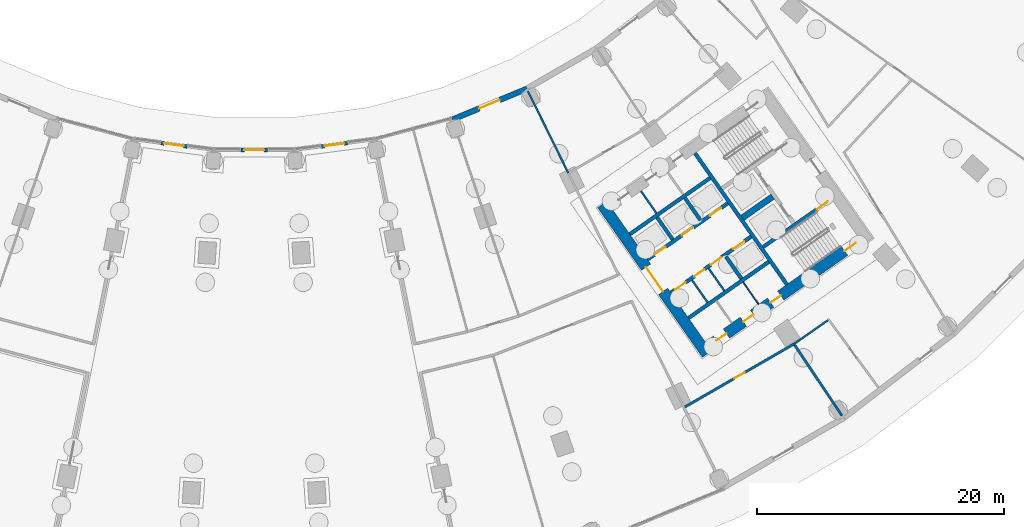
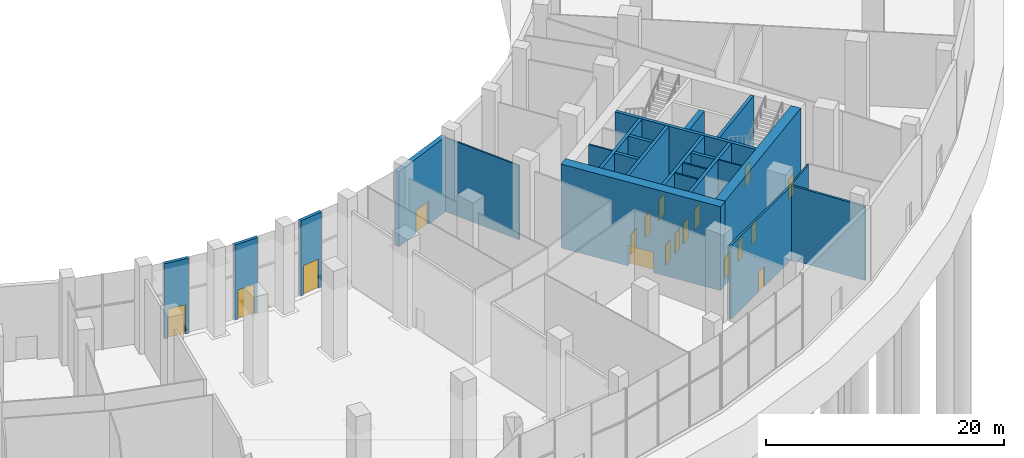
# One storey, part 9 of 23: 24 walls, 18 doors, 18 openings.
"""IFC4 building model written with IfcOpenShell, lengths in metres."""

import ifcopenshell
import ifcopenshell.guid

model = None  # the IFC model being written
_history = None  # IfcOwnerHistory: only IFC2X3 demands one
_inside = {}  # id of a spatial element -> (the spatial element, [elements in it])
_under = {}  # id of a project, library or spatial element -> (it, [spatial elements below it])
_declared = {}  # id of a project -> (the project, [libraries it declares])
_typed = {}  # id of a type object -> (the type object, [elements of that type])
_made_of = {}  # id of a material, layer set ... -> (it, [elements and type objects made of it])


def new_model(schema):
    """Start an empty IFC model of exactly this schema.

    Asked for "IFC4X3", IfcOpenShell would pick the latest addendum, in which some entities
    have other attributes; the version numbers below select the first issue.
    IFC2X3 requires an IfcOwnerHistory on every rooted entity: one is made here for all.
    """
    global model, _history
    if schema == "IFC4X3":
        model = ifcopenshell.file(schema_version=(4, 3, 0, 0))
    else:
        model = ifcopenshell.file(schema=schema)
    _inside.clear()
    _under.clear()
    _declared.clear()
    _typed.clear()
    _made_of.clear()
    _history = None
    if model.schema == "IFC2X3":
        org = make("IfcOrganization", Name="unknown")
        user = make(
            "IfcPersonAndOrganization",
            ThePerson=make("IfcPerson", FamilyName="unknown"),
            TheOrganization=org,
        )
        app = make(
            "IfcApplication",
            ApplicationDeveloper=org,
            Version="unknown",
            ApplicationFullName="unknown",
            ApplicationIdentifier="unknown",
        )
        _history = make(
            "IfcOwnerHistory",
            OwningUser=user,
            OwningApplication=app,
            ChangeAction="ADDED",
            CreationDate=0,
        )
    return model


def make(cls, **values):
    """One entity of the class cls with the attributes given. An attribute that is None is left unset."""
    return model.create_entity(
        cls, **{name: value for name, value in values.items() if value is not None}
    )


def rooted(cls, **values):
    """An entity with a GlobalId (a new one), such as an element, a storey or a relation."""
    return make(cls, GlobalId=ifcopenshell.guid.new(), OwnerHistory=_history, **values)


def si_unit(unit_type, name, prefix=None):
    """IfcSIUnit, for example si_unit("LENGTHUNIT", "METRE", prefix="MILLI")."""
    return make("IfcSIUnit", UnitType=unit_type, Prefix=prefix, Name=name)


def assignment(units):
    """IfcUnitAssignment: the units of a project."""
    return None if units is None else make("IfcUnitAssignment", Units=units)


def point(xyz):
    """IfcCartesianPoint."""
    return None if xyz is None else make("IfcCartesianPoint", Coordinates=xyz)


def direction(xyz):
    """IfcDirection."""
    return None if xyz is None else make("IfcDirection", DirectionRatios=xyz)


def frame(location, z_axis=None, x_axis=None):
    """IfcAxis2Placement3D, a coordinate frame: its origin and axes. An axis left out is left unset."""
    return make(
        "IfcAxis2Placement3D",
        Location=point(location),
        Axis=direction(z_axis),
        RefDirection=direction(x_axis),
    )


def frame_2d(location, x_axis=None):
    """IfcAxis2Placement2D, a coordinate frame in the plane: its origin and x axis."""
    return make(
        "IfcAxis2Placement2D", Location=point(location), RefDirection=direction(x_axis)
    )


def origin():
    """The frame at (0, 0, 0) with its axes left unset."""
    return frame((0.0, 0.0, 0.0))


def place(relative_to, where):
    """IfcLocalPlacement: puts the frame where relative to a parent placement (None: the world)."""
    return make(
        "IfcLocalPlacement", PlacementRelTo=relative_to, RelativePlacement=where
    )


def context(
    kind, dimensions, precision=None, world=None, true_north=None, identifier=None
):
    """IfcGeometricRepresentationContext, for example the 3D "Model" context."""
    return make(
        "IfcGeometricRepresentationContext",
        ContextIdentifier=identifier,
        ContextType=kind,
        CoordinateSpaceDimension=dimensions,
        Precision=precision,
        WorldCoordinateSystem=world,
        TrueNorth=true_north,
    )


def subcontext(parent, identifier, kind, view, scale=None):
    """IfcGeometricRepresentationSubContext, for example "Body" below "Model"."""
    return make(
        "IfcGeometricRepresentationSubContext",
        ContextIdentifier=identifier,
        ContextType=kind,
        ParentContext=parent,
        TargetScale=scale,
        TargetView=view,
    )


def project(units=None, contexts=None):
    """IfcProject with its units and contexts."""
    return rooted(
        "IfcProject",
        Name="project",
        RepresentationContexts=contexts,
        UnitsInContext=assignment(units),
    )


def spatial(cls, under=None, at=None, **own):
    """A site, building, storey or space (cls), placed at a placement, below another one or the project."""
    s = rooted(cls, ObjectPlacement=at, **own)
    if under is not None:
        _under.setdefault(under.id(), (under, []))[1].append(s)
    return s


def profile(cls, at=None, kind="AREA", **sizes):
    """A parametric profile (cls). Its sizes go by their IFC names, for example OverallWidth=200.0."""
    return make(cls, ProfileType=kind, Position=at, **sizes)


def rectangle(**sizes):
    """IfcRectangleProfileDef."""
    return profile("IfcRectangleProfileDef", **sizes)


def extrude(swept, where, along, depth):
    """IfcExtrudedAreaSolid: the profile swept, set in the frame where, extruded along a direction by depth."""
    return make(
        "IfcExtrudedAreaSolid",
        SweptArea=swept,
        Position=where,
        ExtrudedDirection=direction(along),
        Depth=depth,
    )


def shape(context_of_items, identifier, shape_type, items):
    """IfcShapeRepresentation: the items that make up one representation, for example the "Body"."""
    return make(
        "IfcShapeRepresentation",
        ContextOfItems=context_of_items,
        RepresentationIdentifier=identifier,
        RepresentationType=shape_type,
        Items=items,
    )


def material(Name=None, Category=None):
    """IfcMaterial."""
    return make("IfcMaterial", Name=Name, Category=Category)


def layer(
    of_material, thickness, ventilated=None, Name=None, Category=None, Priority=None
):
    """IfcMaterialLayer: one layer of a wall or slab, of a material (None: an air gap)."""
    return make(
        "IfcMaterialLayer",
        Material=of_material,
        LayerThickness=thickness,
        IsVentilated=ventilated,
        Name=Name,
        Category=Category,
        Priority=Priority,
    )


def layer_set(layers, Name=None):
    """IfcMaterialLayerSet."""
    return make("IfcMaterialLayerSet", MaterialLayers=layers, LayerSetName=Name)


def made_of(thing, what):
    """Note that an element or type object is made of a material, layer set ...; save() writes the relation."""
    if what is not None:
        _made_of.setdefault(what.id(), (what, []))[1].append(thing)
    return thing


def type_object(cls, material=None, **own):
    """A type object (cls), such as IfcWallType, which elements share."""
    return made_of(rooted(cls, **own), material)


def element(
    cls,
    number,
    at=None,
    inside=None,
    cuts=None,
    type_object=None,
    material=None,
    context=None,
    identifier="Body",
    shape_type=None,
    held_by="IfcProductDefinitionShape",
    body=None,
    shapes=None,
    **own,
):
    """One element of the class cls, such as IfcWall. Its Tag is "e" and its number.

    at: its placement. inside: the storey or other place that contains it. cuts: it is an
    opening in that element (IfcRelVoidsElement). A single representation is given by context,
    identifier, shape_type and body (its items); several are given by shapes. held_by: the class
    of the entity that holds the representations. save() writes the other relations.
    """
    e = rooted(cls, Tag="e%d" % number, ObjectPlacement=at, **own)
    if body is not None:
        shapes = [shape(context, identifier, shape_type, body)]
    if shapes is not None:
        e.Representation = make(held_by, Representations=shapes)
    if inside is not None:
        _inside.setdefault(inside.id(), (inside, []))[1].append(e)
    if cuts is not None:
        rooted(
            "IfcRelVoidsElement", RelatingBuildingElement=cuts, RelatedOpeningElement=e
        )
    if type_object is not None:
        _typed.setdefault(type_object.id(), (type_object, []))[1].append(e)
    return made_of(e, material)


def fill(opening, filler):
    """IfcRelFillsElement: the door or window that sits in an opening."""
    return rooted(
        "IfcRelFillsElement",
        RelatingOpeningElement=opening,
        RelatedBuildingElement=filler,
    )


def aggregate(whole, parts):
    """IfcRelAggregates: a whole, such as a stair, and the parts it consists of."""
    return rooted("IfcRelAggregates", RelatingObject=whole, RelatedObjects=parts)


def save(model, path):
    """Write the relations noted so far, then the file.

    IfcRelAggregates (storeys below a building ...), IfcRelContainedInSpatialStructure (elements
    in a storey), IfcRelDefinesByType, IfcRelAssociatesMaterial and IfcRelDeclares: one each for
    every whole, place, type object, material and project.
    """
    for whole, parts in _under.values():
        aggregate(whole, parts)
    for where, things in _inside.values():
        rooted(
            "IfcRelContainedInSpatialStructure",
            RelatedElements=things,
            RelatingStructure=where,
        )
    for kind, things in _typed.values():
        rooted("IfcRelDefinesByType", RelatedObjects=things, RelatingType=kind)
    for what, things in _made_of.values():
        rooted("IfcRelAssociatesMaterial", RelatedObjects=things, RelatingMaterial=what)
    for by, libraries in _declared.values():
        rooted("IfcRelDeclares", RelatingContext=by, RelatedDefinitions=libraries)
    model.write(path)


model = new_model("IFC4")

# Units and contexts
model_context = context("Model", 3, precision=1e-05, world=origin(), true_north=direction((0.0, 1.0)))
body_context = subcontext(model_context, "Body", "Model", "MODEL_VIEW")
ifc_project = project(units=[si_unit("LENGTHUNIT", "METRE"), si_unit("AREAUNIT", "SQUARE_METRE"), si_unit("VOLUMEUNIT", "CUBIC_METRE"), si_unit("PLANEANGLEUNIT", "RADIAN"), si_unit("MASSUNIT", "GRAM", prefix="KILO")], contexts=[model_context])

# Site, building, storey
site_placement = place(None, origin())
site = spatial("IfcSite", under=ifc_project, at=site_placement, CompositionType="ELEMENT")
building_placement = place(site_placement, origin())
building = spatial("IfcBuilding", under=site, at=building_placement, Name="Qamariyya Broadcast Tower", CompositionType="ELEMENT")
storey_placement = place(building_placement, origin())
storey = spatial("IfcBuildingStorey", under=building, at=storey_placement, Name="L00", CompositionType="ELEMENT", Elevation=0.0)

# Wall, opening, door
ifc_material_1 = material(Name="Concrete C70/85", Category="concrete")
ifc_layer_1 = layer(ifc_material_1, 0.89990234375)
ifc_layer_set_1 = layer_set([ifc_layer_1], Name="Core wall 900 mm Concrete C70/85")
wall_type_1 = type_object("IfcWallType", Name="Core wall 900 mm Concrete C70/85", PredefinedType="SHEAR", material=ifc_layer_set_1)
wall_1_placement = place(storey_placement, frame((36.716796875, -66.3369140625, 0.0), z_axis=(0.0, 0.0, 1.0), x_axis=(-0.573577477574, 0.819151315216, 0.0)))
wall_1 = element("IfcWall", 1, at=wall_1_placement, inside=storey, type_object=wall_type_1, Name="k-E-L00-WA", PredefinedType="SHEAR", context=body_context, shape_type="SweptSolid", body=[
    extrude(rectangle(XDim=14.800048828125, YDim=0.89990234375, at=frame_2d((7.39990234375, 0.0))), origin(), (0.0, 0.0, 1.0), 8.60009765625),
])
opening_1_placement = place(wall_1_placement, frame((6.199951171875, 0.0, 0.0)))
opening_1 = element("IfcOpeningElement", 2, at=opening_1_placement, cuts=wall_1, Name="Opening KD3-E1", PredefinedType="OPENING", context=body_context, shape_type="SweptSolid", body=[
    extrude(rectangle(XDim=2.39990234375, YDim=2.10009765625, at=frame_2d((1.199951171875, 1.050048828125))), frame((0.0, 0.4599609375, 0.0), z_axis=(0.0, -1.0, 0.0), x_axis=(1.0, 0.0, 0.0)), (0.0, 0.0, 1.0), 0.919921875),
])
ifc_material_2 = material(Name="Steel fire-resisting door leaf", Category="steel")
door_type_1 = type_object("IfcDoorType", Name="Lift lobby door KD3", OperationType="DOUBLE_DOOR_SINGLE_SWING", PredefinedType="DOOR", material=ifc_material_2)
door_1_placement = place(opening_1_placement, origin())
door_1 = element("IfcDoor", 3, at=door_1_placement, inside=storey, type_object=door_type_1, Name="k-E-L00-WA-D1", OperationType="DOUBLE_DOOR_SINGLE_SWING", OverallHeight=2.10009765625, OverallWidth=2.39990234375, PredefinedType="DOOR", context=body_context, shape_type="SweptSolid", body=[
    extrude(rectangle(XDim=2.39990234375, YDim=2.10009765625, at=frame_2d((1.199951171875, 1.050048828125))), frame((0.0, 0.02490234375, 0.0), z_axis=(0.0, -1.0, 0.0), x_axis=(1.0, 0.0, 0.0)), (0.0, 0.0, 1.0), 0.050048828125),
])
fill(opening_1, door_1)

# Wall, openings, doors
wall_2_placement = place(storey_placement, frame((36.827392578125, -65.710205078125, 0.0), z_axis=(0.0, 0.0, 1.0), x_axis=(0.819153391756, 0.573574511963, 0.0)))
wall_2 = element("IfcWall", 4, at=wall_2_placement, inside=storey, type_object=wall_type_1, Name="k-E-L00-WO", PredefinedType="SHEAR", context=body_context, shape_type="SweptSolid", body=[
    extrude(rectangle(XDim=15.04541015625, YDim=0.89990234375, at=frame_2d((7.522705078125, 0.0))), origin(), (0.0, 0.0, 1.0), 8.60009765625),
])
opening_2_placement = place(wall_2_placement, frame((0.800048828125, 0.0, 0.0)))
opening_2 = element("IfcOpeningElement", 5, at=opening_2_placement, cuts=wall_2, Name="Opening KD4-E2", PredefinedType="OPENING", context=body_context, shape_type="SweptSolid", body=[
    extrude(rectangle(XDim=1.0, YDim=2.10009765625, at=frame_2d((0.5, 1.050048828125))), frame((0.0, 0.4599609375, 0.0), z_axis=(0.0, -1.0, 0.0), x_axis=(1.0, 0.0, 0.0)), (0.0, 0.0, 1.0), 0.919921875),
])
opening_3_placement = place(wall_2_placement, frame((3.47509765625, 0.0, 0.0)))
opening_3 = element("IfcOpeningElement", 6, at=opening_3_placement, cuts=wall_2, Name="Opening KD4-E3", PredefinedType="OPENING", context=body_context, shape_type="SweptSolid", body=[
    extrude(rectangle(XDim=1.0, YDim=2.10009765625, at=frame_2d((0.5, 1.050048828125))), frame((0.0, 0.4599609375, 0.0), z_axis=(0.0, -1.0, 0.0), x_axis=(1.0, 0.0, 0.0)), (0.0, 0.0, 1.0), 0.919921875),
])
opening_4_placement = place(wall_2_placement, frame((6.175048828125, 0.0, 0.0)))
opening_4 = element("IfcOpeningElement", 7, at=opening_4_placement, cuts=wall_2, Name="Opening KD4-E4", PredefinedType="OPENING", context=body_context, shape_type="SweptSolid", body=[
    extrude(rectangle(XDim=1.0, YDim=2.10009765625, at=frame_2d((0.5, 1.050048828125))), frame((0.0, 0.4599609375, 0.0), z_axis=(0.0, -1.0, 0.0), x_axis=(1.0, 0.0, 0.0)), (0.0, 0.0, 1.0), 0.919921875),
])
opening_5_placement = place(wall_2_placement, frame((13.495361328125, 0.0, 0.0)))
opening_5 = element("IfcOpeningElement", 8, at=opening_5_placement, cuts=wall_2, Name="Opening KD1-E3", PredefinedType="OPENING", context=body_context, shape_type="SweptSolid", body=[
    extrude(rectangle(XDim=1.10009765625, YDim=2.10009765625, at=frame_2d((0.550048828125, 1.050048828125))), frame((0.0, 0.4599609375, 0.0), z_axis=(0.0, -1.0, 0.0), x_axis=(1.0, 0.0, 0.0)), (0.0, 0.0, 1.0), 0.919921875),
])
door_type_2 = type_object("IfcDoorType", Name="Riser and plant door KD4", OperationType="SINGLE_SWING_LEFT", PredefinedType="DOOR", material=ifc_material_2)
door_2_placement = place(opening_2_placement, origin())
door_2 = element("IfcDoor", 9, at=door_2_placement, inside=storey, type_object=door_type_2, Name="k-E-L00-WO-D12", OperationType="SINGLE_SWING_RIGHT", OverallHeight=2.10009765625, OverallWidth=1.0, PredefinedType="DOOR", context=body_context, shape_type="SweptSolid", body=[
    extrude(rectangle(XDim=1.0, YDim=2.10009765625, at=frame_2d((0.5, 1.050048828125))), frame((0.0, 0.02490234375, 0.0), z_axis=(0.0, -1.0, 0.0), x_axis=(1.0, 0.0, 0.0)), (0.0, 0.0, 1.0), 0.050048828125),
])
fill(opening_2, door_2)
door_3_placement = place(opening_3_placement, origin())
door_3 = element("IfcDoor", 10, at=door_3_placement, inside=storey, type_object=door_type_2, Name="k-E-L00-WO-D13", OperationType="SINGLE_SWING_LEFT", OverallHeight=2.10009765625, OverallWidth=1.0, PredefinedType="DOOR", context=body_context, shape_type="SweptSolid", body=[
    extrude(rectangle(XDim=1.0, YDim=2.10009765625, at=frame_2d((0.5, 1.050048828125))), frame((0.0, 0.02490234375, 0.0), z_axis=(0.0, -1.0, 0.0), x_axis=(1.0, 0.0, 0.0)), (0.0, 0.0, 1.0), 0.050048828125),
])
fill(opening_3, door_3)
door_4_placement = place(opening_4_placement, origin())
door_4 = element("IfcDoor", 11, at=door_4_placement, inside=storey, type_object=door_type_2, Name="k-E-L00-WO-D14", OperationType="SINGLE_SWING_RIGHT", OverallHeight=2.10009765625, OverallWidth=1.0, PredefinedType="DOOR", context=body_context, shape_type="SweptSolid", body=[
    extrude(rectangle(XDim=1.0, YDim=2.10009765625, at=frame_2d((0.5, 1.050048828125))), frame((0.0, 0.02490234375, 0.0), z_axis=(0.0, -1.0, 0.0), x_axis=(1.0, 0.0, 0.0)), (0.0, 0.0, 1.0), 0.050048828125),
])
fill(opening_4, door_4)
door_type_3 = type_object("IfcDoorType", Name="Stair door KD1", OperationType="SINGLE_SWING_LEFT", PredefinedType="DOOR", material=ifc_material_2)
door_5_placement = place(opening_5_placement, origin())
door_5 = element("IfcDoor", 12, at=door_5_placement, inside=storey, type_object=door_type_3, Name="k-E-L00-WO-D20", OperationType="SINGLE_SWING_LEFT", OverallHeight=2.10009765625, OverallWidth=1.10009765625, PredefinedType="DOOR", context=body_context, shape_type="SweptSolid", body=[
    extrude(rectangle(XDim=1.10009765625, YDim=2.10009765625, at=frame_2d((0.550048828125, 1.050048828125))), frame((0.0, 0.02490234375, 0.0), z_axis=(0.0, -1.0, 0.0), x_axis=(1.0, 0.0, 0.0)), (0.0, 0.0, 1.0), 0.050048828125),
])
fill(opening_5, door_5)

# Walls
ifc_material_3 = material(Name="Gypsum board partition")
ifc_layer_2 = layer(ifc_material_3, 0.14990234375)
ifc_layer_set_2 = layer_set([ifc_layer_2], Name="Corridor partition 150 EI 60")
wall_type_2 = type_object("IfcWallType", Name="Corridor partition 150 EI 60", PredefinedType="PARTITIONING", material=ifc_layer_set_2)
wall_3_placement = place(storey_placement, frame((22.202880859375, -45.02294921875, 0.0), z_axis=(0.0, 0.0, 1.0), x_axis=(0.442284486457, -0.896874814586, 0.0)))
element("IfcWall", 13, at=wall_3_placement, inside=storey, type_object=wall_type_2, Name="Partition L00-041", PredefinedType="PARTITIONING", context=body_context, shape_type="SweptSolid", body=[
    extrude(rectangle(XDim=7.400146484375, YDim=0.14990234375, at=frame_2d((3.7001953125, 0.0))), origin(), (0.0, 0.0, 1.0), 7.60009765625),
])
wall_4_placement = place(storey_placement, frame((43.779052734375, -65.519775390625, 0.0), z_axis=(0.0, 0.0, 1.0), x_axis=(0.819136350291, 0.573598849051, 0.0)))
element("IfcWall", 14, at=wall_4_placement, inside=storey, type_object=wall_type_2, Name="Partition L00-055", PredefinedType="PARTITIONING", context=body_context, shape_type="SweptSolid", body=[
    extrude(rectangle(XDim=3.36083984375, YDim=0.14990234375, at=frame_2d((1.680419921875, 0.0))), origin(), (0.0, 0.0, 1.0), 7.60009765625),
])
ifc_material_4 = material(Name="Concrete C60/75", Category="concrete")
ifc_layer_3 = layer(ifc_material_4, 0.5)
ifc_layer_set_3 = layer_set([ifc_layer_3], Name="Fire-fighting lobby divider wall 500 mm Concrete C60/75")
wall_type_3 = type_object("IfcWallType", Name="Fire-fighting lobby divider wall 500 mm Concrete C60/75", PredefinedType="SOLIDWALL", material=ifc_layer_set_3)
wall_5_placement = place(storey_placement, frame((39.59912109375, -55.28515625, 0.0), z_axis=(0.0, 0.0, 1.0), x_axis=(0.819136323161, 0.573598887793, 0.0)))
element("IfcWall", 15, at=wall_5_placement, inside=storey, type_object=wall_type_3, Name="k-E-L00-FD", PredefinedType="SOLIDWALL", context=body_context, shape_type="SweptSolid", body=[
    extrude(rectangle(XDim=2.999755859375, YDim=0.5, at=frame_2d((1.5, 0.0))), origin(), (0.0, 0.0, 1.0), 8.60009765625),
])
ifc_material_5 = material(Name="Gypsum board partition on steel studs", Category="steel")
ifc_layer_4 = layer(ifc_material_5, 0.14990234375)
ifc_layer_set_4 = layer_set([ifc_layer_4], Name="Gypsum board partition 150 mm")
wall_type_4 = type_object("IfcWallType", Name="Gypsum board partition 150 mm", PredefinedType="PARTITIONING", material=ifc_layer_set_4)
for number, where, z_axis, x_axis, name in (
    (16, (35.51171875, -60.344482421875, 0.0), (0.0, 0.0, 1.0), (0.573633636671, -0.819111989218, 0.0), "k-E-L00-SC200"),
    (17, (36.86328125, -59.398193359375, 0.0), (0.0, 0.0, 1.0), (0.573633636671, -0.819111989218, 0.0), "k-E-L00-SC365"),
    (18, (32.627197265625, -54.91748046875, 0.0), (0.0, 0.0, 1.0), (-0.573507030513, 0.819200638399, 0.0), "k-E-L00-NP275"),
):
    element("IfcWall", number, at=place(storey_placement, frame(where, z_axis=z_axis, x_axis=x_axis)), inside=storey, type_object=wall_type_4, Name=name, PredefinedType="PARTITIONING", context=body_context, shape_type="SweptSolid", body=[
        extrude(rectangle(XDim=2.199951171875, YDim=0.14990234375, at=frame_2d((1.10009765625, 0.0))), origin(), (0.0, 0.0, 1.0), 8.60009765625),
    ])
ifc_layer_5 = layer(ifc_material_4, 0.300048828125)
ifc_layer_set_5 = layer_set([ifc_layer_5], Name="Lift shaft wall 300 mm Concrete C60/75")
wall_type_5 = type_object("IfcWallType", Name="Lift shaft wall 300 mm Concrete C60/75", PredefinedType="SOLIDWALL", material=ifc_layer_set_5)
wall_6_placement = place(storey_placement, frame((43.204345703125, -60.69580078125, 0.0), z_axis=(0.0, 0.0, 1.0), x_axis=(-0.573571992966, 0.819155155563, 0.0)))
element("IfcWall", 19, at=wall_6_placement, inside=storey, type_object=wall_type_5, Name="k-E-L00-WL", PredefinedType="SOLIDWALL", context=body_context, shape_type="SweptSolid", body=[
    extrude(rectangle(XDim=13.000244140625, YDim=0.300048828125, at=frame_2d((6.5, 0.0))), origin(), (0.0, 0.0, 1.0), 8.60009765625),
])

# Wall, openings, doors
wall_7_placement = place(storey_placement, frame((31.89453125, -58.66552734375, 0.0), z_axis=(0.0, 0.0, 1.0), x_axis=(0.819166993208, 0.573555086491, 0.0)))
wall_7 = element("IfcWall", 20, at=wall_7_placement, inside=storey, type_object=wall_type_5, Name="k-E-L00-NF0", PredefinedType="SOLIDWALL", context=body_context, shape_type="SweptSolid", body=[
    extrude(rectangle(XDim=7.9501953125, YDim=0.300048828125, at=frame_2d((3.97509765625, 0.0))), origin(), (0.0, 0.0, 1.0), 8.60009765625),
])
opening_6_placement = place(wall_7_placement, frame((0.675048828125, 0.0, 0.0)))
opening_6 = element("IfcOpeningElement", 21, at=opening_6_placement, cuts=wall_7, Name="Opening LD", PredefinedType="OPENING", context=body_context, shape_type="SweptSolid", body=[
    extrude(rectangle(XDim=1.10009765625, YDim=2.10009765625, at=frame_2d((0.550048828125, 1.050048828125))), frame((0.0, 0.159912109375, 0.0), z_axis=(0.0, -1.0, 0.0), x_axis=(1.0, 0.0, 0.0)), (0.0, 0.0, 1.0), 0.320068359375),
])
opening_7_placement = place(wall_7_placement, frame((3.425048828125, 0.0, 0.0)))
opening_7 = element("IfcOpeningElement", 22, at=opening_7_placement, cuts=wall_7, Name="Opening LD", PredefinedType="OPENING", context=body_context, shape_type="SweptSolid", body=[
    extrude(rectangle(XDim=1.10009765625, YDim=2.10009765625, at=frame_2d((0.550048828125, 1.050048828125))), frame((0.0, 0.159912109375, 0.0), z_axis=(0.0, -1.0, 0.0), x_axis=(1.0, 0.0, 0.0)), (0.0, 0.0, 1.0), 0.320068359375),
])
opening_8_placement = place(wall_7_placement, frame((6.175048828125, 0.0, 0.0)))
opening_8 = element("IfcOpeningElement", 23, at=opening_8_placement, cuts=wall_7, Name="Opening LD", PredefinedType="OPENING", context=body_context, shape_type="SweptSolid", body=[
    extrude(rectangle(XDim=1.10009765625, YDim=2.10009765625, at=frame_2d((0.550048828125, 1.050048828125))), frame((0.0, 0.159912109375, 0.0), z_axis=(0.0, -1.0, 0.0), x_axis=(1.0, 0.0, 0.0)), (0.0, 0.0, 1.0), 0.320068359375),
])
door_type_4 = type_object("IfcDoorType", Name="Lift landing door LD", OperationType="DOUBLE_DOOR_SLIDING", PredefinedType="DOOR", material=ifc_material_2)
door_6_placement = place(opening_6_placement, origin())
door_6 = element("IfcDoor", 24, at=door_6_placement, inside=storey, type_object=door_type_4, Name="k-E-L00-NF0-D2", OperationType="DOUBLE_DOOR_SLIDING", OverallHeight=2.10009765625, OverallWidth=1.10009765625, PredefinedType="DOOR", context=body_context, shape_type="SweptSolid", body=[
    extrude(rectangle(XDim=1.10009765625, YDim=2.10009765625, at=frame_2d((0.550048828125, 1.050048828125))), frame((0.0, 0.02490234375, 0.0), z_axis=(0.0, -1.0, 0.0), x_axis=(1.0, 0.0, 0.0)), (0.0, 0.0, 1.0), 0.050048828125),
])
fill(opening_6, door_6)
door_7_placement = place(opening_7_placement, origin())
door_7 = element("IfcDoor", 25, at=door_7_placement, inside=storey, type_object=door_type_4, Name="k-E-L00-NF0-D3", OperationType="DOUBLE_DOOR_SLIDING", OverallHeight=2.10009765625, OverallWidth=1.10009765625, PredefinedType="DOOR", context=body_context, shape_type="SweptSolid", body=[
    extrude(rectangle(XDim=1.10009765625, YDim=2.10009765625, at=frame_2d((0.550048828125, 1.050048828125))), frame((0.0, 0.02490234375, 0.0), z_axis=(0.0, -1.0, 0.0), x_axis=(1.0, 0.0, 0.0)), (0.0, 0.0, 1.0), 0.050048828125),
])
fill(opening_7, door_7)
door_8_placement = place(opening_8_placement, origin())
door_8 = element("IfcDoor", 26, at=door_8_placement, inside=storey, type_object=door_type_4, Name="k-E-L00-NF0-D4", OperationType="DOUBLE_DOOR_SLIDING", OverallHeight=2.10009765625, OverallWidth=1.10009765625, PredefinedType="DOOR", context=body_context, shape_type="SweptSolid", body=[
    extrude(rectangle(XDim=1.10009765625, YDim=2.10009765625, at=frame_2d((0.550048828125, 1.050048828125))), frame((0.0, 0.02490234375, 0.0), z_axis=(0.0, -1.0, 0.0), x_axis=(1.0, 0.0, 0.0)), (0.0, 0.0, 1.0), 0.050048828125),
])
fill(opening_8, door_8)

# Walls
wall_8_placement = place(storey_placement, frame((30.460693359375, -56.61767578125, 0.0), z_axis=(0.0, 0.0, 1.0), x_axis=(0.819142461705, 0.573590121456, 0.0)))
element("IfcWall", 27, at=wall_8_placement, inside=storey, type_object=wall_type_5, Name="k-E-L00-NB0", PredefinedType="SOLIDWALL", context=body_context, shape_type="SweptSolid", body=[
    extrude(rectangle(XDim=7.949951171875, YDim=0.300048828125, at=frame_2d((3.97509765625, 0.0))), origin(), (0.0, 0.0, 1.0), 8.60009765625),
])
wall_9_placement = place(storey_placement, frame((33.9384765625, -57.051513671875, 0.0), z_axis=(0.0, 0.0, 1.0), x_axis=(-0.573581496053, 0.819148501424, 0.0)))
element("IfcWall", 28, at=wall_9_placement, inside=storey, type_object=wall_type_5, Name="k-E-L00-ND0", PredefinedType="SOLIDWALL", context=body_context, shape_type="SweptSolid", body=[
    extrude(rectangle(XDim=2.2001953125, YDim=0.300048828125, at=frame_2d((1.10009765625, 0.0))), origin(), (0.0, 0.0, 1.0), 8.60009765625),
])
wall_10_placement = place(storey_placement, frame((36.19091796875, -55.47412109375, 0.0), z_axis=(0.0, 0.0, 1.0), x_axis=(-0.573507030513, 0.819200638399, 0.0)))
element("IfcWall", 29, at=wall_10_placement, inside=storey, type_object=wall_type_5, Name="k-E-L00-ND1", PredefinedType="SOLIDWALL", context=body_context, shape_type="SweptSolid", body=[
    extrude(rectangle(XDim=2.199951171875, YDim=0.300048828125, at=frame_2d((1.10009765625, 0.0))), origin(), (0.0, 0.0, 1.0), 8.60009765625),
])

# Wall, openings, doors
wall_11_placement = place(storey_placement, frame((33.787353515625, -61.368896484375, 0.0), z_axis=(0.0, 0.0, 1.0), x_axis=(0.819152564888, 0.573575692858, 0.0)))
wall_11 = element("IfcWall", 30, at=wall_11_placement, inside=storey, type_object=wall_type_5, Name="k-E-L00-SF0", PredefinedType="SOLIDWALL", context=body_context, shape_type="SweptSolid", body=[
    extrude(rectangle(XDim=7.9501953125, YDim=0.300048828125, at=frame_2d((3.97509765625, 0.0))), origin(), (0.0, 0.0, 1.0), 8.60009765625),
])
opening_9_placement = place(wall_11_placement, frame((6.175048828125, 0.0, 0.0)))
opening_9 = element("IfcOpeningElement", 31, at=opening_9_placement, cuts=wall_11, Name="Opening LD", PredefinedType="OPENING", context=body_context, shape_type="SweptSolid", body=[
    extrude(rectangle(XDim=1.10009765625, YDim=2.10009765625, at=frame_2d((0.550048828125, 1.050048828125))), frame((0.0, 0.159912109375, 0.0), z_axis=(0.0, -1.0, 0.0), x_axis=(1.0, 0.0, 0.0)), (0.0, 0.0, 1.0), 0.320068359375),
])
opening_10_placement = place(wall_11_placement, frame((0.46240234375, 0.0, 0.0)))
opening_10 = element("IfcOpeningElement", 32, at=opening_10_placement, cuts=wall_11, Name="Opening KD6-E1", PredefinedType="OPENING", context=body_context, shape_type="SweptSolid", body=[
    extrude(rectangle(XDim=1.0, YDim=2.10009765625, at=frame_2d((0.5, 1.050048828125))), frame((0.0, 0.159912109375, 0.0), z_axis=(0.0, -1.0, 0.0), x_axis=(1.0, 0.0, 0.0)), (0.0, 0.0, 1.0), 0.320068359375),
])
opening_11_placement = place(wall_11_placement, frame((2.324951171875, 0.0, 0.0)))
opening_11 = element("IfcOpeningElement", 33, at=opening_11_placement, cuts=wall_11, Name="Opening KD4-E1", PredefinedType="OPENING", context=body_context, shape_type="SweptSolid", body=[
    extrude(rectangle(XDim=1.0, YDim=2.10009765625, at=frame_2d((0.5, 1.050048828125))), frame((0.0, 0.159912109375, 0.0), z_axis=(0.0, -1.0, 0.0), x_axis=(1.0, 0.0, 0.0)), (0.0, 0.0, 1.0), 0.320068359375),
])
opening_12_placement = place(wall_11_placement, frame((3.96240234375, 0.0, 0.0)))
opening_12 = element("IfcOpeningElement", 34, at=opening_12_placement, cuts=wall_11, Name="Opening KD6-E2", PredefinedType="OPENING", context=body_context, shape_type="SweptSolid", body=[
    extrude(rectangle(XDim=1.0, YDim=2.10009765625, at=frame_2d((0.5, 1.050048828125))), frame((0.0, 0.159912109375, 0.0), z_axis=(0.0, -1.0, 0.0), x_axis=(1.0, 0.0, 0.0)), (0.0, 0.0, 1.0), 0.320068359375),
])
door_type_5 = type_object("IfcDoorType", Name="Core room door KD6", OperationType="SINGLE_SWING_LEFT", PredefinedType="DOOR", material=ifc_material_2)
door_9_placement = place(opening_10_placement, origin())
door_9 = element("IfcDoor", 35, at=door_9_placement, inside=storey, type_object=door_type_5, Name="k-E-L00-SF0-D6", OperationType="SINGLE_SWING_RIGHT", OverallHeight=2.10009765625, OverallWidth=1.0, PredefinedType="DOOR", context=body_context, shape_type="SweptSolid", body=[
    extrude(rectangle(XDim=1.0, YDim=2.10009765625, at=frame_2d((0.5, 1.050048828125))), frame((0.0, 0.02490234375, 0.0), z_axis=(0.0, -1.0, 0.0), x_axis=(1.0, 0.0, 0.0)), (0.0, 0.0, 1.0), 0.050048828125),
])
fill(opening_10, door_9)
door_10_placement = place(opening_12_placement, origin())
door_10 = element("IfcDoor", 36, at=door_10_placement, inside=storey, type_object=door_type_5, Name="k-E-L00-SF0-D8", OperationType="SINGLE_SWING_RIGHT", OverallHeight=2.10009765625, OverallWidth=1.0, PredefinedType="DOOR", context=body_context, shape_type="SweptSolid", body=[
    extrude(rectangle(XDim=1.0, YDim=2.10009765625, at=frame_2d((0.5, 1.050048828125))), frame((0.0, 0.02490234375, 0.0), z_axis=(0.0, -1.0, 0.0), x_axis=(1.0, 0.0, 0.0)), (0.0, 0.0, 1.0), 0.050048828125),
])
fill(opening_12, door_10)
door_11_placement = place(opening_9_placement, origin())
door_11 = element("IfcDoor", 37, at=door_11_placement, inside=storey, type_object=door_type_4, Name="k-E-L00-SF0-D5", OperationType="DOUBLE_DOOR_SLIDING", OverallHeight=2.10009765625, OverallWidth=1.10009765625, PredefinedType="DOOR", context=body_context, shape_type="SweptSolid", body=[
    extrude(rectangle(XDim=1.10009765625, YDim=2.10009765625, at=frame_2d((0.550048828125, 1.050048828125))), frame((0.0, 0.02490234375, 0.0), z_axis=(0.0, -1.0, 0.0), x_axis=(1.0, 0.0, 0.0)), (0.0, 0.0, 1.0), 0.050048828125),
])
fill(opening_9, door_11)
door_12_placement = place(opening_11_placement, origin())
door_12 = element("IfcDoor", 38, at=door_12_placement, inside=storey, type_object=door_type_2, Name="k-E-L00-SF0-D7", OperationType="SINGLE_SWING_LEFT", OverallHeight=2.10009765625, OverallWidth=1.0, PredefinedType="DOOR", context=body_context, shape_type="SweptSolid", body=[
    extrude(rectangle(XDim=1.0, YDim=2.10009765625, at=frame_2d((0.5, 1.050048828125))), frame((0.0, 0.02490234375, 0.0), z_axis=(0.0, -1.0, 0.0), x_axis=(1.0, 0.0, 0.0)), (0.0, 0.0, 1.0), 0.050048828125),
])
fill(opening_11, door_12)

# Walls
wall_12_placement = place(storey_placement, frame((35.22119140625, -63.41650390625, 0.0), z_axis=(0.0, 0.0, 1.0), x_axis=(0.819166993208, 0.573555086491, 0.0)))
element("IfcWall", 39, at=wall_12_placement, inside=storey, type_object=wall_type_5, Name="k-E-L00-SB0", PredefinedType="SOLIDWALL", context=body_context, shape_type="SweptSolid", body=[
    extrude(rectangle(XDim=7.9501953125, YDim=0.300048828125, at=frame_2d((3.97509765625, 0.0))), origin(), (0.0, 0.0, 1.0), 8.60009765625),
])
wall_13_placement = place(storey_placement, frame((38.255859375, -58.423095703125, 0.0), z_axis=(0.0, 0.0, 1.0), x_axis=(0.573633636671, -0.819111989218, 0.0)))
element("IfcWall", 40, at=wall_13_placement, inside=storey, type_object=wall_type_5, Name="k-E-L00-SD1", PredefinedType="SOLIDWALL", context=body_context, shape_type="SweptSolid", body=[
    extrude(rectangle(XDim=2.199951171875, YDim=0.300048828125, at=frame_2d((1.10009765625, 0.0))), origin(), (0.0, 0.0, 1.0), 8.60009765625),
])

# Wall, opening, door
wall_14_placement = place(storey_placement, frame((41.262451171875, -57.66064453125, 0.0), z_axis=(0.0, 0.0, 1.0), x_axis=(0.819164398642, 0.573558792102, 0.0)))
wall_14 = element("IfcWall", 41, at=wall_14_placement, inside=storey, type_object=wall_type_5, Name="k-E-L00-SW", PredefinedType="SOLIDWALL", context=body_context, shape_type="SweptSolid", body=[
    extrude(rectangle(XDim=6.795166015625, YDim=0.300048828125, at=frame_2d((3.3974609375, 0.0))), origin(), (0.0, 0.0, 1.0), 8.60009765625),
])
opening_13_placement = place(wall_14_placement, frame((5.3203125, 0.0, 0.0)))
opening_13 = element("IfcOpeningElement", 42, at=opening_13_placement, cuts=wall_14, Name="Opening KD1-E4", PredefinedType="OPENING", context=body_context, shape_type="SweptSolid", body=[
    extrude(rectangle(XDim=1.10009765625, YDim=2.10009765625, at=frame_2d((0.550048828125, 1.050048828125))), frame((0.0, 0.159912109375, 0.0), z_axis=(0.0, -1.0, 0.0), x_axis=(1.0, 0.0, 0.0)), (0.0, 0.0, 1.0), 0.320068359375),
])
door_13_placement = place(opening_13_placement, origin())
door_13 = element("IfcDoor", 43, at=door_13_placement, inside=storey, type_object=door_type_3, Name="k-E-L00-SW-D21", OperationType="SINGLE_SWING_LEFT", OverallHeight=2.10009765625, OverallWidth=1.10009765625, PredefinedType="DOOR", context=body_context, shape_type="SweptSolid", body=[
    extrude(rectangle(XDim=1.10009765625, YDim=2.10009765625, at=frame_2d((0.550048828125, 1.050048828125))), frame((0.0, 0.02490234375, 0.0), z_axis=(0.0, -1.0, 0.0), x_axis=(1.0, 0.0, 0.0)), (0.0, 0.0, 1.0), 0.050048828125),
])
fill(opening_13, door_13)

ifc_material_6 = material(Name="Masonry block wall", Category="masonry")
ifc_layer_6 = layer(ifc_material_6, 0.199951171875)
ifc_layer_set_6 = layer_set([ifc_layer_6], Name="Plant room wall 200 EI 120")
wall_type_6 = type_object("IfcWallType", Name="Plant room wall 200 EI 120", PredefinedType="PARTITIONING", material=ifc_layer_set_6)
wall_15_placement = place(storey_placement, frame((43.779052734375, -65.519775390625, 0.0), z_axis=(0.0, 0.0, 1.0), x_axis=(-0.866028261119, -0.499995050918, 0.0)))
wall_15 = element("IfcWall", 44, at=wall_15_placement, inside=storey, type_object=wall_type_6, Name="Partition L00-050", PredefinedType="PARTITIONING", context=body_context, shape_type="SweptSolid", body=[
    extrude(rectangle(XDim=10.20751953125, YDim=0.199951171875, at=frame_2d((5.103759765625, 0.0))), origin(), (0.0, 0.0, 1.0), 7.60009765625),
])
opening_14_placement = place(wall_15_placement, frame((4.603759765625, 0.0, 0.0)))
opening_14 = element("IfcOpeningElement", 45, at=opening_14_placement, cuts=wall_15, Name="Opening L00-D19", PredefinedType="OPENING", context=body_context, shape_type="SweptSolid", body=[
    extrude(rectangle(XDim=1.0, YDim=2.10009765625, at=frame_2d((0.5, 1.050048828125))), frame((0.0, 0.10986328125, 0.0), z_axis=(0.0, -1.0, 0.0), x_axis=(1.0, 0.0, 0.0)), (0.0, 0.0, 1.0), 0.219970703125),
])
ifc_material_7 = material(Name="Insulated metal door leaf")
door_type_6 = type_object("IfcDoorType", Name="Plant door 1000 x 2100 FD120", OperationType="NOTDEFINED", PredefinedType="DOOR", material=ifc_material_7)
door_14_placement = place(opening_14_placement, origin())
door_14 = element("IfcDoor", 46, at=door_14_placement, inside=storey, type_object=door_type_6, Name="Door L00-D19", OperationType="SINGLE_SWING_RIGHT", OverallHeight=2.10009765625, OverallWidth=1.0, PredefinedType="DOOR", context=body_context, shape_type="SweptSolid", body=[
    extrude(rectangle(XDim=1.0, YDim=2.10009765625, at=frame_2d((0.5, 1.050048828125))), frame((0.0, 0.02490234375, 0.0), z_axis=(0.0, -1.0, 0.0), x_axis=(1.0, 0.0, 0.0)), (0.0, 0.0, 1.0), 0.050048828125),
])
fill(opening_14, door_14)

# Wall
wall_16_placement = place(storey_placement, frame((47.66796875, -71.340087890625, 0.0), z_axis=(0.0, 0.0, 1.0), x_axis=(-0.555581734529, 0.831461927124, 0.0)))
element("IfcWall", 47, at=wall_16_placement, inside=storey, type_object=wall_type_6, Name="Partition L00-059", PredefinedType="PARTITIONING", context=body_context, shape_type="SweptSolid", body=[
    extrude(rectangle(XDim=6.89990234375, YDim=0.199951171875, at=frame_2d((3.449951171875, 0.0))), origin(), (0.0, 0.0, 1.0), 7.60009765625),
])

# Wall, opening, door
ifc_material_8 = material(Name="Precast concrete C40/50 with terracotta facing", Category="masonry")
ifc_layer_7 = layer(ifc_material_8, 0.300048828125)
ifc_layer_set_7 = layer_set([ifc_layer_7], Name="Precast concrete C40/50 entrance portal wall 300, terracotta faced")
wall_type_7 = type_object("IfcWallType", Name="Precast concrete C40/50 entrance portal wall 300, terracotta faced", PredefinedType="SOLIDWALL", material=ifc_layer_set_7)
wall_17_placement = place(storey_placement, frame((-7.57470703125, -49.225830078125, 0.0), z_axis=(0.0, 0.0, 1.0), x_axis=(0.991440882539, -0.130556410914, 0.0)))
wall_17 = element("IfcWall", 48, at=wall_17_placement, inside=storey, type_object=wall_type_7, Name="e-wl-L00-portal-in09", PredefinedType="SOLIDWALL", context=body_context, shape_type="SweptSolid", body=[
    extrude(rectangle(XDim=2.169189453125, YDim=0.300048828125, at=frame_2d((1.08447265625, 0.0))), origin(), (0.0, 0.0, 1.0), 7.699951171875),
])
opening_15_placement = place(wall_17_placement, frame((0.28466796875, 0.0, 0.0)))
opening_15 = element("IfcOpeningElement", 49, at=opening_15_placement, cuts=wall_17, Name="Opening ED7", PredefinedType="OPENING", context=body_context, shape_type="SweptSolid", body=[
    extrude(rectangle(XDim=1.60009765625, YDim=3.0, at=frame_2d((0.800048828125, 1.5))), frame((0.0, 0.159912109375, 0.0), z_axis=(0.0, -1.0, 0.0), x_axis=(1.0, 0.0, 0.0)), (0.0, 0.0, 1.0), 0.320068359375),
])
ifc_material_9 = material(Name="Toughened glass in stainless steel frame", Category="steel")
door_type_7 = type_object("IfcDoorType", Name="Concourse entrance door 1600 x 3000", OperationType="DOUBLE_DOOR_DOUBLE_SWING", PredefinedType="DOOR", material=ifc_material_9)
door_15_placement = place(opening_15_placement, origin())
door_15 = element("IfcDoor", 50, at=door_15_placement, inside=storey, type_object=door_type_7, Name="e-ed-L00-ent-in09", OperationType="DOUBLE_DOOR_DOUBLE_SWING", OverallHeight=3.0, OverallWidth=1.60009765625, PredefinedType="DOOR", context=body_context, shape_type="SweptSolid", body=[
    extrude(rectangle(XDim=1.60009765625, YDim=3.0, at=frame_2d((0.800048828125, 1.5))), frame((0.0, 0.02490234375, 0.0), z_axis=(0.0, -1.0, 0.0), x_axis=(1.0, 0.0, 0.0)), (0.0, 0.0, 1.0), 0.050048828125),
])
fill(opening_15, door_15)

wall_18_placement = place(storey_placement, frame((-1.084716796875, -49.79345703125, 0.0), z_axis=(0.0, 0.0, 1.0), x_axis=(1.0, 0.0, 0.0)))
wall_18 = element("IfcWall", 51, at=wall_18_placement, inside=storey, type_object=wall_type_7, Name="e-wl-L00-portal-in10", PredefinedType="SOLIDWALL", context=body_context, shape_type="SweptSolid", body=[
    extrude(rectangle(XDim=2.16943359375, YDim=0.300048828125, at=frame_2d((1.084716796875, 0.0))), origin(), (0.0, 0.0, 1.0), 7.699951171875),
])
opening_16_placement = place(wall_18_placement, frame((0.28466796875, 0.0, 0.0)))
opening_16 = element("IfcOpeningElement", 52, at=opening_16_placement, cuts=wall_18, Name="Opening ED7", PredefinedType="OPENING", context=body_context, shape_type="SweptSolid", body=[
    extrude(rectangle(XDim=1.60009765625, YDim=3.0, at=frame_2d((0.800048828125, 1.5))), frame((0.0, 0.159912109375, 0.0), z_axis=(0.0, -1.0, 0.0), x_axis=(1.0, 0.0, 0.0)), (0.0, 0.0, 1.0), 0.320068359375),
])
door_16_placement = place(opening_16_placement, origin())
door_16 = element("IfcDoor", 53, at=door_16_placement, inside=storey, type_object=door_type_7, Name="e-ed-L00-ent-in10", OperationType="DOUBLE_DOOR_DOUBLE_SWING", OverallHeight=3.0, OverallWidth=1.60009765625, PredefinedType="DOOR", context=body_context, shape_type="SweptSolid", body=[
    extrude(rectangle(XDim=1.60009765625, YDim=3.0, at=frame_2d((0.800048828125, 1.5))), frame((0.0, 0.02490234375, 0.0), z_axis=(0.0, -1.0, 0.0), x_axis=(1.0, 0.0, 0.0)), (0.0, 0.0, 1.0), 0.050048828125),
])
fill(opening_16, door_16)

wall_19_placement = place(storey_placement, frame((5.424072265625, -49.509033203125, 0.0), z_axis=(0.0, 0.0, 1.0), x_axis=(0.991440882539, 0.130556410914, 0.0)))
wall_19 = element("IfcWall", 54, at=wall_19_placement, inside=storey, type_object=wall_type_7, Name="e-wl-L00-portal-in11", PredefinedType="SOLIDWALL", context=body_context, shape_type="SweptSolid", body=[
    extrude(rectangle(XDim=2.169189453125, YDim=0.300048828125, at=frame_2d((1.08447265625, 0.0))), origin(), (0.0, 0.0, 1.0), 7.699951171875),
])
opening_17_placement = place(wall_19_placement, frame((0.28466796875, 0.0, 0.0)))
opening_17 = element("IfcOpeningElement", 55, at=opening_17_placement, cuts=wall_19, Name="Opening ED7", PredefinedType="OPENING", context=body_context, shape_type="SweptSolid", body=[
    extrude(rectangle(XDim=1.60009765625, YDim=3.0, at=frame_2d((0.800048828125, 1.5))), frame((0.0, 0.159912109375, 0.0), z_axis=(0.0, -1.0, 0.0), x_axis=(1.0, 0.0, 0.0)), (0.0, 0.0, 1.0), 0.320068359375),
])
door_17_placement = place(opening_17_placement, origin())
door_17 = element("IfcDoor", 56, at=door_17_placement, inside=storey, type_object=door_type_7, Name="e-ed-L00-ent-in11", OperationType="DOUBLE_DOOR_DOUBLE_SWING", OverallHeight=3.0, OverallWidth=1.60009765625, PredefinedType="DOOR", context=body_context, shape_type="SweptSolid", body=[
    extrude(rectangle(XDim=1.60009765625, YDim=3.0, at=frame_2d((0.800048828125, 1.5))), frame((0.0, 0.02490234375, 0.0), z_axis=(0.0, -1.0, 0.0), x_axis=(1.0, 0.0, 0.0)), (0.0, 0.0, 1.0), 0.050048828125),
])
fill(opening_17, door_17)

ifc_layer_8 = layer(ifc_material_8, 0.449951171875)
ifc_layer_set_8 = layer_set([ifc_layer_8], Name="Precast concrete C40/50 wall 450, terracotta faced")
wall_type_8 = type_object("IfcWallType", Name="Precast concrete C40/50 wall 450, terracotta faced", PredefinedType="SOLIDWALL", material=ifc_layer_set_8)
wall_20_placement = place(storey_placement, frame((22.13134765625, -44.81005859375, 0.0), z_axis=(0.0, 0.0, 1.0), x_axis=(-0.923877418118, -0.382688536921, 0.0)))
wall_20 = element("IfcWall", 57, at=wall_20_placement, inside=storey, type_object=wall_type_8, Name="e-wl-L00-in130", PredefinedType="SOLIDWALL", context=body_context, shape_type="SweptSolid", body=[
    extrude(rectangle(XDim=6.552490234375, YDim=0.449951171875, at=frame_2d((3.2763671875, 0.0))), origin(), (0.0, 0.0, 1.0), 7.699951171875),
])
opening_18_placement = place(wall_20_placement, frame((2.3984375, 0.0, 0.0)))
opening_18 = element("IfcOpeningElement", 58, at=opening_18_placement, cuts=wall_20, Name="Opening ED8", PredefinedType="OPENING", context=body_context, shape_type="SweptSolid", body=[
    extrude(rectangle(XDim=1.800048828125, YDim=2.39990234375, at=frame_2d((0.89990234375, 1.199951171875))), frame((0.0, 0.23486328125, 0.0), z_axis=(0.0, -1.0, 0.0), x_axis=(1.0, 0.0, 0.0)), (0.0, 0.0, 1.0), 0.469970703125),
])
door_type_8 = type_object("IfcDoorType", Name="Street exit door 1800 x 2400", OperationType="DOUBLE_DOOR_DOUBLE_SWING", PredefinedType="DOOR", material=ifc_material_9)
door_18_placement = place(opening_18_placement, origin())
door_18 = element("IfcDoor", 59, at=door_18_placement, inside=storey, type_object=door_type_8, Name="e-ed-L00-exit10-in13", OperationType="DOUBLE_DOOR_DOUBLE_SWING", OverallHeight=2.39990234375, OverallWidth=1.800048828125, PredefinedType="DOOR", context=body_context, shape_type="SweptSolid", body=[
    extrude(rectangle(XDim=1.800048828125, YDim=2.39990234375, at=frame_2d((0.89990234375, 1.199951171875))), frame((0.0, 0.02490234375, 0.0), z_axis=(0.0, -1.0, 0.0), x_axis=(1.0, 0.0, 0.0)), (0.0, 0.0, 1.0), 0.050048828125),
])
fill(opening_18, door_18)

# Wall
ifc_material_10 = material(Name="Fire-rated gypsum shaft liner on steel studs", Category="steel")
ifc_layer_9 = layer(ifc_material_10, 0.10009765625)
ifc_layer_set_9 = layer_set([ifc_layer_9], Name="Riser wall 100 mm")
wall_type_9 = type_object("IfcWallType", Name="Riser wall 100 mm", PredefinedType="PLUMBINGWALL", material=ifc_layer_set_9)
wall_21_placement = place(storey_placement, frame((39.64892578125, -60.49951171875, 0.0), z_axis=(0.0, 0.0, 1.0), x_axis=(0.573507030513, -0.819200638399, 0.0)))
element("IfcWall", 60, at=wall_21_placement, inside=storey, type_object=wall_type_9, Name="k-E-L00-SP530", PredefinedType="PLUMBINGWALL", context=body_context, shape_type="SweptSolid", body=[
    extrude(rectangle(XDim=2.199951171875, YDim=0.10009765625, at=frame_2d((1.10009765625, 0.0))), origin(), (0.0, 0.0, 1.0), 8.60009765625),
])

save(model, "model.ifc")
